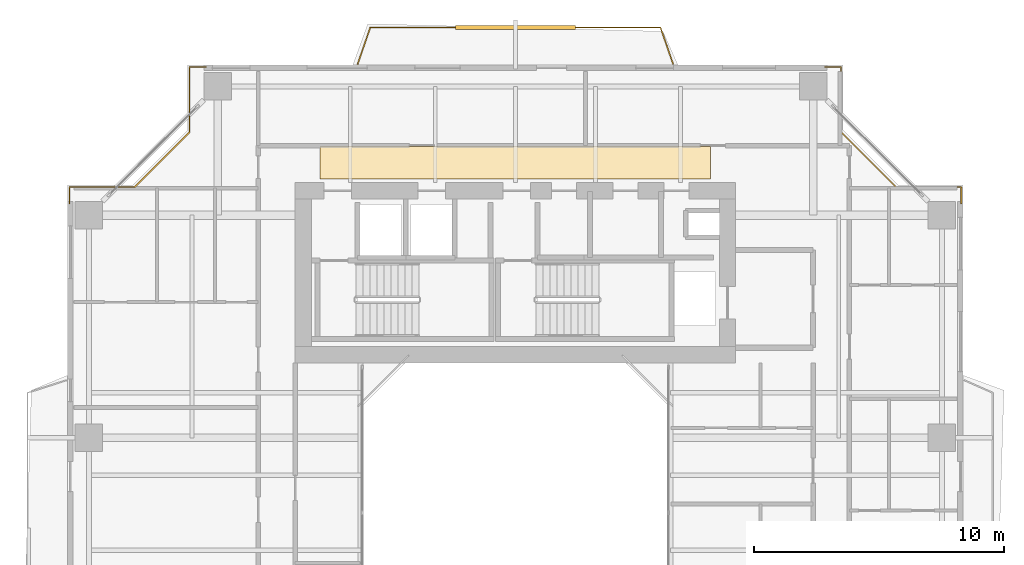
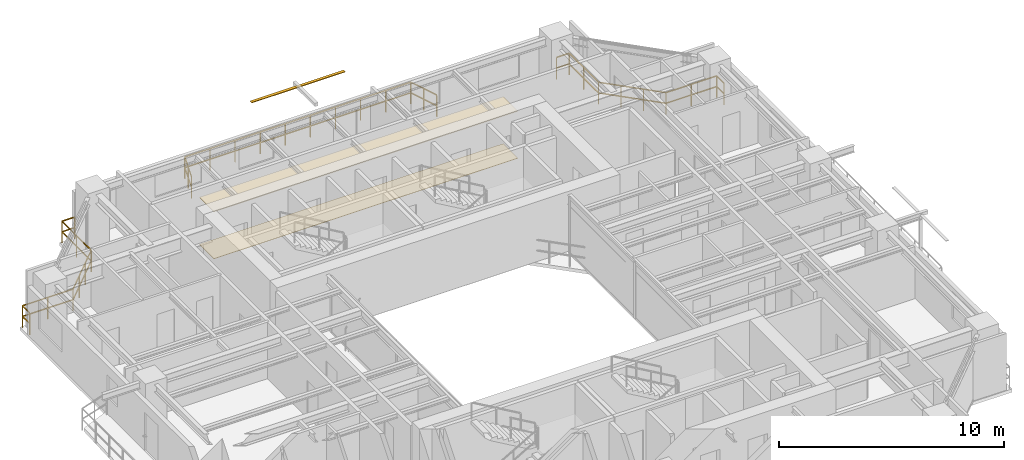
# One storey, part 17 of 17: 3 railings, 2 coverings, 1 shading device.
"""IFC4 building model written with IfcOpenShell, lengths in metres."""

from ifc_helpers import new_model, si_unit, direction, frame, origin, origin_2d, place, context, subcontext, project, spatial, polyline, rectangle, outline, extrude, source, transform, mapped, material, layer, layer_set, material_profile, profile_set, type_object, element, save


model = new_model("IFC4")

# Units and contexts
model_context = context("Model", 3, precision=1e-05, world=origin(), true_north=direction((0.0, 1.0)))
body_context = subcontext(model_context, "Body", "Model", "MODEL_VIEW")
ifc_project = project(units=[si_unit("LENGTHUNIT", "METRE"), si_unit("AREAUNIT", "SQUARE_METRE"), si_unit("VOLUMEUNIT", "CUBIC_METRE"), si_unit("PLANEANGLEUNIT", "RADIAN"), si_unit("MASSUNIT", "GRAM", prefix="KILO"), si_unit("THERMODYNAMICTEMPERATUREUNIT", "KELVIN"), si_unit("POWERUNIT", "WATT")], contexts=[model_context])

# Site, building, storey
site_placement = place(None, origin())
site = spatial("IfcSite", under=ifc_project, at=site_placement, CompositionType="ELEMENT")
building_placement = place(site_placement, origin())
building = spatial("IfcBuilding", under=site, at=building_placement, Name="Qiaomeng Ring Towers", CompositionType="ELEMENT")
storey_placement = place(building_placement, frame((0.0, 0.0, 129.5)))
storey = spatial("IfcBuildingStorey", under=building, at=storey_placement, Name="L37", CompositionType="ELEMENT", Elevation=129.5)

# Coverings
ifc_material_1 = material(Name="Moisture-resistant gypsum ceiling board", Category="gypsum")
ifc_layer_1 = layer(ifc_material_1, 0.030029296875, Name="Moisture-resistant gypsum ceiling board")
ifc_layer_set_1 = layer_set([ifc_layer_1], Name="Moisture-resistant gypsum ceiling board")
covering_type_1 = type_object("IfcCoveringType", Name="ARC-COV-CEIL2", PredefinedType="CEILING", material=ifc_layer_set_1)
covering_1_placement = place(storey_placement, frame((0.0, 0.0, 2.550048828125)))
element("IfcCovering", 1, at=covering_1_placement, inside=storey, type_object=covering_type_1, Name="L37 Corridor Acoustic Ceiling", PredefinedType="CEILING", context=body_context, shape_type="SweptSolid", body=[
    extrude(outline(polyline([(11.199951171875, 36.35009765625), (11.199951171875, 37.64990234375), (26.800048828125, 37.64990234375), (26.800048828125, 36.35009765625), (11.199951171875, 36.35009765625)])), origin(), (0.0, 0.0, 1.0), 0.02490234375),
])
ifc_material_2 = material(Name="Vitrified porcelain floor tile", Category="ceramic")
ifc_layer_2 = layer(ifc_material_2, 0.02001953125, Name="Vitrified porcelain floor tile")
ifc_layer_set_2 = layer_set([ifc_layer_2], Name="Vitrified porcelain floor tile")
covering_type_2 = type_object("IfcCoveringType", Name="ARC-COV-FLR1", PredefinedType="FLOORING", material=ifc_layer_set_2)
covering_2_placement = place(storey_placement, origin())
element("IfcCovering", 2, at=covering_2_placement, inside=storey, type_object=covering_type_2, Name="L37 Corridor Stone Flooring", PredefinedType="FLOORING", context=body_context, shape_type="SweptSolid", body=[
    extrude(outline(polyline([(11.199951171875, 36.35009765625), (11.199951171875, 37.64990234375), (26.800048828125, 37.64990234375), (26.800048828125, 36.35009765625), (11.199951171875, 36.35009765625)])), origin(), (0.0, 0.0, 1.0), 0.02001953125),
])

# Railings
ifc_material_3 = material(Name="Low-E pale-green laminated safety glass", Category="glass")
railing_type = type_object("IfcRailingType", Name="ARC-RL-BAL1", PredefinedType="BALUSTRADE", material=ifc_material_3)
railing_1_placement = place(storey_placement, frame((36.820068359375, 35.3701171875, 0.0)))
element("IfcRailing", 3, at=railing_1_placement, inside=storey, type_object=railing_type, Name="L37 Balustrade ARC-BAL-NOTCH1-L37-NE", PredefinedType="BALUSTRADE", context=body_context, shape_type="SweptSolid", body=[
    extrude(rectangle(XDim=0.048095703125, YDim=0.048095703125, at=origin_2d()), frame((0.0, 0.0, 1.17578125), z_axis=(0.0, 1.0, 0.0), x_axis=(-1.0, 0.0, 0.0)), (0.0, 0.0, 1.0), 0.64990234375),
    extrude(rectangle(XDim=0.048095703125, YDim=0.048095703125, at=origin_2d()), frame((0.0, 0.0, 0.60009765625), z_axis=(0.0, 1.0, 0.0), x_axis=(-1.0, 0.0, 0.0)), (0.0, 0.0, 1.0), 0.64990234375),
    extrude(rectangle(XDim=0.048095703125, YDim=0.048095703125, at=origin_2d()), frame((0.0, 0.64990234375, 1.17578125), z_axis=(-1.0, 0.0, 0.0), x_axis=(0.0, -1.0, 0.0)), (0.0, 0.0, 1.0), 2.60009765625),
    extrude(rectangle(XDim=0.048095703125, YDim=0.048095703125, at=origin_2d()), frame((0.0, 0.64990234375, 0.60009765625), z_axis=(-1.0, 0.0, 0.0), x_axis=(0.0, -1.0, 0.0)), (0.0, 0.0, 1.0), 2.60009765625),
    extrude(rectangle(XDim=0.048095703125, YDim=0.048095703125, at=origin_2d()), frame((-2.60009765625, 0.64990234375, 1.17578125), z_axis=(-0.707106781187, 0.707106781187, 0.0), x_axis=(-0.707106781187, -0.707106781187, 0.0)), (0.0, 0.0, 1.0), 3.111083984375),
    extrude(rectangle(XDim=0.048095703125, YDim=0.048095703125, at=origin_2d()), frame((-2.60009765625, 0.64990234375, 0.60009765625), z_axis=(-0.707106781187, 0.707106781187, 0.0), x_axis=(-0.707106781187, -0.707106781187, 0.0)), (0.0, 0.0, 1.0), 3.111083984375),
    extrude(rectangle(XDim=0.048095703125, YDim=0.048095703125, at=origin_2d()), frame((-4.800048828125, 2.849853515625, 1.17578125), z_axis=(0.0, 1.0, 0.0), x_axis=(-1.0, 0.0, 0.0)), (0.0, 0.0, 1.0), 2.60009765625),
    extrude(rectangle(XDim=0.048095703125, YDim=0.048095703125, at=origin_2d()), frame((-4.800048828125, 2.849853515625, 0.60009765625), z_axis=(0.0, 1.0, 0.0), x_axis=(-1.0, 0.0, 0.0)), (0.0, 0.0, 1.0), 2.60009765625),
    extrude(rectangle(XDim=0.048095703125, YDim=0.048095703125, at=origin_2d()), frame((-4.800048828125, 5.449951171875, 1.17578125), z_axis=(-1.0, 0.0, 0.0), x_axis=(0.0, -1.0, 0.0)), (0.0, 0.0, 1.0), 0.64990234375),
    extrude(rectangle(XDim=0.048095703125, YDim=0.048095703125, at=origin_2d()), frame((-4.800048828125, 5.449951171875, 0.60009765625), z_axis=(-1.0, 0.0, 0.0), x_axis=(0.0, -1.0, 0.0)), (0.0, 0.0, 1.0), 0.64990234375),
    extrude(rectangle(XDim=0.0419921875, YDim=0.0419921875, at=origin_2d()), origin(), (0.0, 0.0, 1.0), 1.15185546875),
    extrude(rectangle(XDim=0.0419921875, YDim=0.0419921875, at=origin_2d()), frame((0.0, 0.64990234375, 0.0)), (0.0, 0.0, 1.0), 1.15185546875),
    extrude(rectangle(XDim=0.0419921875, YDim=0.0419921875, at=origin_2d()), frame((-1.300048828125, 0.64990234375, 0.0)), (0.0, 0.0, 1.0), 1.15185546875),
    extrude(rectangle(XDim=0.0419921875, YDim=0.0419921875, at=origin_2d()), frame((-2.60009765625, 0.64990234375, 0.0)), (0.0, 0.0, 1.0), 1.15185546875),
    extrude(rectangle(XDim=0.0419921875, YDim=0.0419921875, at=origin_2d()), frame((-3.33349609375, 1.38330078125, 0.0)), (0.0, 0.0, 1.0), 1.15185546875),
    extrude(rectangle(XDim=0.0419921875, YDim=0.0419921875, at=origin_2d()), frame((-4.066650390625, 2.116455078125, 0.0)), (0.0, 0.0, 1.0), 1.15185546875),
    extrude(rectangle(XDim=0.0419921875, YDim=0.0419921875, at=origin_2d()), frame((-4.800048828125, 2.849853515625, 0.0)), (0.0, 0.0, 1.0), 1.15185546875),
    extrude(rectangle(XDim=0.0419921875, YDim=0.0419921875, at=origin_2d()), frame((-4.800048828125, 4.14990234375, 0.0)), (0.0, 0.0, 1.0), 1.15185546875),
    extrude(rectangle(XDim=0.0419921875, YDim=0.0419921875, at=origin_2d()), frame((-4.800048828125, 5.449951171875, 0.0)), (0.0, 0.0, 1.0), 1.15185546875),
    extrude(rectangle(XDim=0.0419921875, YDim=0.0419921875, at=origin_2d()), frame((-5.449951171875, 5.449951171875, 0.0)), (0.0, 0.0, 1.0), 1.15185546875),
])
railing_2_placement = place(storey_placement, frame((6.6298828125, 40.820068359375, 0.0)))
element("IfcRailing", 4, at=railing_2_placement, inside=storey, type_object=railing_type, Name="L37 Balustrade ARC-BAL-NOTCH1-L37-NW", PredefinedType="BALUSTRADE", context=body_context, shape_type="SweptSolid", body=[
    extrude(rectangle(XDim=0.048095703125, YDim=0.048095703125, at=origin_2d()), frame((0.0, 0.0, 1.17578125), z_axis=(-1.0, 0.0, 0.0), x_axis=(0.0, -1.0, 0.0)), (0.0, 0.0, 1.0), 0.64990234375),
    extrude(rectangle(XDim=0.048095703125, YDim=0.048095703125, at=origin_2d()), frame((0.0, 0.0, 0.60009765625), z_axis=(-1.0, 0.0, 0.0), x_axis=(0.0, -1.0, 0.0)), (0.0, 0.0, 1.0), 0.64990234375),
    extrude(rectangle(XDim=0.048095703125, YDim=0.048095703125, at=origin_2d()), frame((-0.64990234375, 0.0, 1.17578125), z_axis=(0.0, -1.0, 0.0), x_axis=(1.0, 0.0, 0.0)), (0.0, 0.0, 1.0), 2.60009765625),
    extrude(rectangle(XDim=0.048095703125, YDim=0.048095703125, at=origin_2d()), frame((-0.64990234375, 0.0, 0.60009765625), z_axis=(0.0, -1.0, 0.0), x_axis=(1.0, 0.0, 0.0)), (0.0, 0.0, 1.0), 2.60009765625),
    extrude(rectangle(XDim=0.048095703125, YDim=0.048095703125, at=origin_2d()), frame((-0.64990234375, -2.60009765625, 1.17578125), z_axis=(-0.707106781187, -0.707106781187, 0.0), x_axis=(0.707106781187, -0.707106781187, 0.0)), (0.0, 0.0, 1.0), 3.111083984375),
    extrude(rectangle(XDim=0.048095703125, YDim=0.048095703125, at=origin_2d()), frame((-0.64990234375, -2.60009765625, 0.60009765625), z_axis=(-0.707106781187, -0.707106781187, 0.0), x_axis=(0.707106781187, -0.707106781187, 0.0)), (0.0, 0.0, 1.0), 3.111083984375),
    extrude(rectangle(XDim=0.048095703125, YDim=0.048095703125, at=origin_2d()), frame((-2.849853515625, -4.800048828125, 1.17578125), z_axis=(-1.0, 0.0, 0.0), x_axis=(0.0, -1.0, 0.0)), (0.0, 0.0, 1.0), 2.60009765625),
    extrude(rectangle(XDim=0.048095703125, YDim=0.048095703125, at=origin_2d()), frame((-2.849853515625, -4.800048828125, 0.60009765625), z_axis=(-1.0, 0.0, 0.0), x_axis=(0.0, -1.0, 0.0)), (0.0, 0.0, 1.0), 2.60009765625),
    extrude(rectangle(XDim=0.048095703125, YDim=0.048095703125, at=origin_2d()), frame((-5.449951171875, -4.800048828125, 1.17578125), z_axis=(0.0, -1.0, 0.0), x_axis=(1.0, 0.0, 0.0)), (0.0, 0.0, 1.0), 0.64990234375),
    extrude(rectangle(XDim=0.048095703125, YDim=0.048095703125, at=origin_2d()), frame((-5.449951171875, -4.800048828125, 0.60009765625), z_axis=(0.0, -1.0, 0.0), x_axis=(1.0, 0.0, 0.0)), (0.0, 0.0, 1.0), 0.64990234375),
    extrude(rectangle(XDim=0.0419921875, YDim=0.0419921875, at=origin_2d()), origin(), (0.0, 0.0, 1.0), 1.15185546875),
    extrude(rectangle(XDim=0.0419921875, YDim=0.0419921875, at=origin_2d()), frame((-0.64990234375, 0.0, 0.0)), (0.0, 0.0, 1.0), 1.15185546875),
    extrude(rectangle(XDim=0.0419921875, YDim=0.0419921875, at=origin_2d()), frame((-0.64990234375, -1.300048828125, 0.0)), (0.0, 0.0, 1.0), 1.15185546875),
    extrude(rectangle(XDim=0.0419921875, YDim=0.0419921875, at=origin_2d()), frame((-0.64990234375, -2.60009765625, 0.0)), (0.0, 0.0, 1.0), 1.15185546875),
    extrude(rectangle(XDim=0.0419921875, YDim=0.0419921875, at=origin_2d()), frame((-1.38330078125, -3.33349609375, 0.0)), (0.0, 0.0, 1.0), 1.15185546875),
    extrude(rectangle(XDim=0.0419921875, YDim=0.0419921875, at=origin_2d()), frame((-2.116455078125, -4.066650390625, 0.0)), (0.0, 0.0, 1.0), 1.15185546875),
    extrude(rectangle(XDim=0.0419921875, YDim=0.0419921875, at=origin_2d()), frame((-2.849853515625, -4.800048828125, 0.0)), (0.0, 0.0, 1.0), 1.15185546875),
    extrude(rectangle(XDim=0.0419921875, YDim=0.0419921875, at=origin_2d()), frame((-4.14990234375, -4.800048828125, 0.0)), (0.0, 0.0, 1.0), 1.15185546875),
    extrude(rectangle(XDim=0.0419921875, YDim=0.0419921875, at=origin_2d()), frame((-5.449951171875, -4.800048828125, 0.0)), (0.0, 0.0, 1.0), 1.15185546875),
    extrude(rectangle(XDim=0.0419921875, YDim=0.0419921875, at=origin_2d()), frame((-5.449951171875, -5.449951171875, 0.0)), (0.0, 0.0, 1.0), 1.15185546875),
])
railing_3_placement = place(storey_placement, frame((12.699951171875, 40.949951171875, 0.0)))
element("IfcRailing", 5, at=railing_3_placement, inside=storey, type_object=railing_type, Name="L37 Balustrade ARC-BAL-L37-T1-N", PredefinedType="BALUSTRADE", context=body_context, shape_type="SweptSolid", body=[
    extrude(rectangle(XDim=0.048095703125, YDim=0.048095703125, at=origin_2d()), frame((0.0, 0.0, 1.17578125), z_axis=(0.326000494605, 0.945369598368, 0.0), x_axis=(-0.945369598368, 0.326000494605, 0.0)), (0.0, 0.0, 1.0), 1.53369140625),
    extrude(rectangle(XDim=0.048095703125, YDim=0.048095703125, at=origin_2d()), frame((0.0, 0.0, 0.60009765625), z_axis=(0.326000494605, 0.945369598368, 0.0), x_axis=(-0.945369598368, 0.326000494605, 0.0)), (0.0, 0.0, 1.0), 1.53369140625),
    extrude(rectangle(XDim=0.048095703125, YDim=0.048095703125, at=origin_2d()), frame((0.5, 1.449951171875, 1.17578125), z_axis=(1.0, 0.0, 0.0), x_axis=(0.0, 1.0, 0.0)), (0.0, 0.0, 1.0), 11.60009765625),
    extrude(rectangle(XDim=0.048095703125, YDim=0.048095703125, at=origin_2d()), frame((0.5, 1.449951171875, 0.60009765625), z_axis=(1.0, 0.0, 0.0), x_axis=(0.0, 1.0, 0.0)), (0.0, 0.0, 1.0), 11.60009765625),
    extrude(rectangle(XDim=0.048095703125, YDim=0.048095703125, at=origin_2d()), frame((12.10009765625, 1.449951171875, 1.17578125), z_axis=(0.326000494605, -0.945369598368, 0.0), x_axis=(0.945369598368, 0.326000494605, 0.0)), (0.0, 0.0, 1.0), 1.53369140625),
    extrude(rectangle(XDim=0.048095703125, YDim=0.048095703125, at=origin_2d()), frame((12.10009765625, 1.449951171875, 0.60009765625), z_axis=(0.326000494605, -0.945369598368, 0.0), x_axis=(0.945369598368, 0.326000494605, 0.0)), (0.0, 0.0, 1.0), 1.53369140625),
    extrude(rectangle(XDim=0.0419921875, YDim=0.0419921875, at=origin_2d()), origin(), (0.0, 0.0, 1.0), 1.15185546875),
    extrude(rectangle(XDim=0.0419921875, YDim=0.0419921875, at=origin_2d()), frame((0.25, 0.72509765625, 0.0)), (0.0, 0.0, 1.0), 1.15185546875),
    extrude(rectangle(XDim=0.0419921875, YDim=0.0419921875, at=origin_2d()), frame((0.5, 1.449951171875, 0.0)), (0.0, 0.0, 1.0), 1.15185546875),
    extrude(rectangle(XDim=0.0419921875, YDim=0.0419921875, at=origin_2d()), frame((1.788818359375, 1.449951171875, 0.0)), (0.0, 0.0, 1.0), 1.15185546875),
    extrude(rectangle(XDim=0.0419921875, YDim=0.0419921875, at=origin_2d()), frame((3.077880859375, 1.449951171875, 0.0)), (0.0, 0.0, 1.0), 1.15185546875),
    extrude(rectangle(XDim=0.0419921875, YDim=0.0419921875, at=origin_2d()), frame((4.36669921875, 1.449951171875, 0.0)), (0.0, 0.0, 1.0), 1.15185546875),
    extrude(rectangle(XDim=0.0419921875, YDim=0.0419921875, at=origin_2d()), frame((5.655517578125, 1.449951171875, 0.0)), (0.0, 0.0, 1.0), 1.15185546875),
    extrude(rectangle(XDim=0.0419921875, YDim=0.0419921875, at=origin_2d()), frame((6.944580078125, 1.449951171875, 0.0)), (0.0, 0.0, 1.0), 1.15185546875),
    extrude(rectangle(XDim=0.0419921875, YDim=0.0419921875, at=origin_2d()), frame((8.2333984375, 1.449951171875, 0.0)), (0.0, 0.0, 1.0), 1.15185546875),
    extrude(rectangle(XDim=0.0419921875, YDim=0.0419921875, at=origin_2d()), frame((9.522216796875, 1.449951171875, 0.0)), (0.0, 0.0, 1.0), 1.15185546875),
    extrude(rectangle(XDim=0.0419921875, YDim=0.0419921875, at=origin_2d()), frame((10.811279296875, 1.449951171875, 0.0)), (0.0, 0.0, 1.0), 1.15185546875),
    extrude(rectangle(XDim=0.0419921875, YDim=0.0419921875, at=origin_2d()), frame((12.10009765625, 1.449951171875, 0.0)), (0.0, 0.0, 1.0), 1.15185546875),
    extrude(rectangle(XDim=0.0419921875, YDim=0.0419921875, at=origin_2d()), frame((12.35009765625, 0.72509765625, 0.0)), (0.0, 0.0, 1.0), 1.15185546875),
    extrude(rectangle(XDim=0.0419921875, YDim=0.0419921875, at=origin_2d()), frame((12.60009765625, 0.0, 0.0)), (0.0, 0.0, 1.0), 1.15185546875),
])

# Shading device
ifc_material_4 = material(Name="Fluorocarbon dark-grey aluminium", Category="aluminium")
ifc_material_profile = material_profile(ifc_material_4, rectangle(XDim=0.14990234375, YDim=0.034912109375, at=origin_2d()), Name="LV BLADE 150x35")
ifc_profile_set = profile_set([ifc_material_profile], Name="Fluorocarbon dark-grey aluminium")
shading_device_type = type_object("IfcShadingDeviceType", Name="ARC-SHD-SUN", PredefinedType="AWNING", material=ifc_profile_set)
shared_shape = source(origin(), body_context, "Body", "SweptSolid", [
    extrude(rectangle(XDim=0.14990234375, YDim=0.034912109375, at=origin_2d()), origin(), (0.0, 0.0, 1.0), 4.7998046875),
])
shading_device_placement = place(storey_placement, frame((16.60009765625, 42.39990234375, 2.969970703125), z_axis=(1.0, 0.0, 0.0), x_axis=(0.0, 1.0, 0.0)))
element("IfcShadingDevice", 6, at=shading_device_placement, inside=storey, type_object=shading_device_type, Name="L37 Ventilated Outer-Skin Sunshade N", PredefinedType="AWNING", context=body_context, shape_type="MappedRepresentation", body=[
    mapped(shared_shape, transform((0.0, 0.0, 0.0), x_axis=(1.0, 0.0, 0.0), y_axis=(0.0, 1.0, 0.0), z_axis=(0.0, 0.0, 1.0), scale=1.0)),
])

save(model, "model.ifc")
